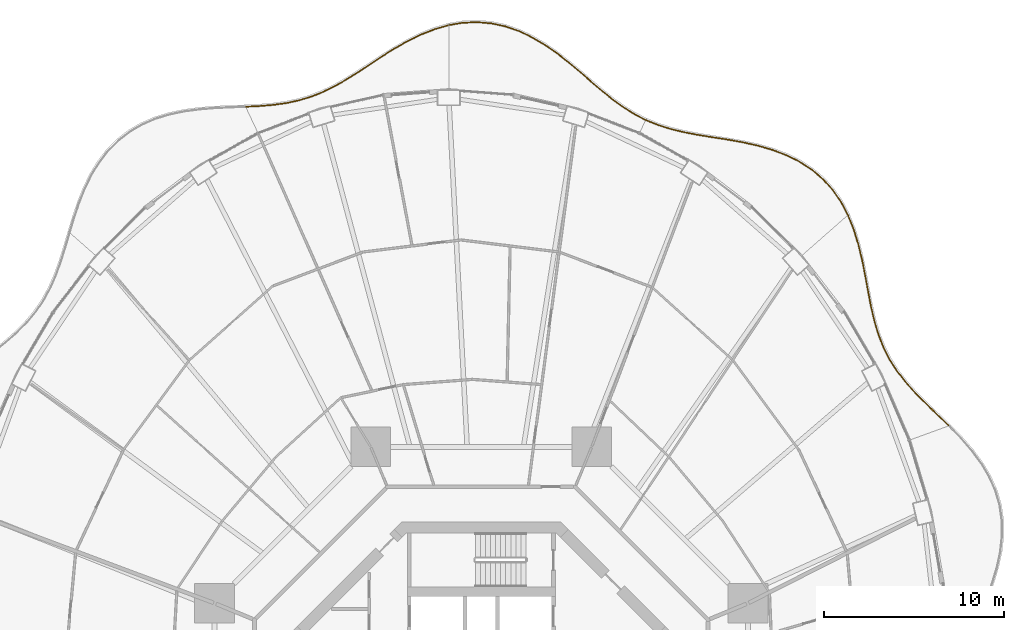
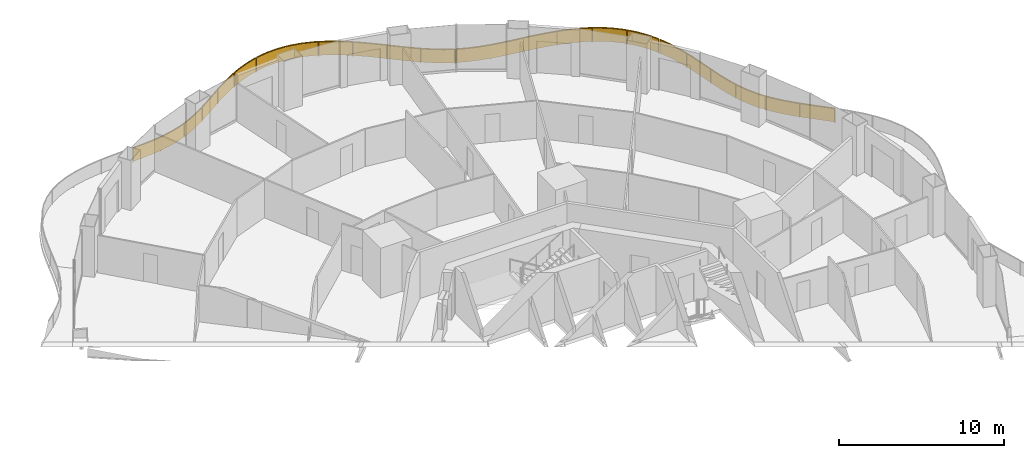
# One storey, part 22 of 22: 4 railings.
"""IFC4 building model written with IfcOpenShell, lengths in metres."""

from ifc_helpers import new_model, si_unit, direction, frame, origin, origin_2d, place, context, subcontext, project, spatial, polyline, rectangle, outline, extrude, material, type_object, element, save


model = new_model("IFC4")

# Units and contexts
model_context = context("Model", 3, precision=1e-05, world=origin(), true_north=direction((0.0, 1.0)))
body_context = subcontext(model_context, "Body", "Model", "MODEL_VIEW")
ifc_project = project(units=[si_unit("LENGTHUNIT", "METRE"), si_unit("AREAUNIT", "SQUARE_METRE"), si_unit("VOLUMEUNIT", "CUBIC_METRE"), si_unit("PLANEANGLEUNIT", "RADIAN"), si_unit("MASSUNIT", "GRAM", prefix="KILO")], contexts=[model_context])

# Site, building, storey
site_placement = place(None, origin())
site = spatial("IfcSite", under=ifc_project, at=site_placement, CompositionType="ELEMENT")
building_placement = place(site_placement, origin())
building = spatial("IfcBuilding", under=site, at=building_placement, Name="Nagisa Residences", CompositionType="ELEMENT")
storey_placement = place(building_placement, frame((0.0, 0.0, 77.0)))
storey = spatial("IfcBuildingStorey", under=building, at=storey_placement, Name="L18", CompositionType="ELEMENT", Elevation=77.0)

# Railings
ifc_material = material(Name="Stainless steel 316", Category="steel")
railing_type = type_object("IfcRailingType", Name="BALCONY GUARD 1100", PredefinedType="BALUSTRADE", material=ifc_material)
railing_1_placement = place(storey_placement, frame((25.88134765625, 15.976806640625, 0.0)))
element("IfcRailing", 1, at=railing_1_placement, inside=storey, type_object=railing_type, Name="guard:L18:bal01-0", PredefinedType="BALUSTRADE", context=body_context, shape_type="SweptSolid", body=[
    extrude(outline(polyline([(-0.6162109375, 0.559814453125), (-0.017333984375, -0.01806640625), (0.017333984375, 0.01806640625), (-0.58154296875, 0.595947265625), (-1.201171875, 1.193115234375), (-1.79052734375, 1.787109375), (-2.332275390625, 2.387939453125), (-2.814208984375, 3.006103515625), (-3.22314453125, 3.63818359375), (-3.570068359375, 4.3173828125), (-3.85302734375, 5.035888671875), (-4.0810546875, 5.79541015625), (-4.267578125, 6.59423828125), (-4.42138671875, 7.414306640625), (-4.578857421875, 8.27099609375), (-4.751953125, 9.139892578125), (-4.959716796875, 10.00634765625), (-5.220458984375, 10.853759765625), (-5.529541015625, 11.623046875), (-5.575927734375, 11.6044921875), (-5.267822265625, 10.837158203125), (-5.008056640625, 9.9931640625), (-4.80078125, 9.129150390625), (-4.628173828125, 8.26171875), (-4.470703125, 7.405029296875), (-4.31640625, 6.583984375), (-4.12939453125, 5.78271484375), (-3.900390625, 5.019287109375), (-3.615966796875, 4.296875), (-3.2666015625, 3.61328125), (-2.855224609375, 2.977294921875), (-2.370849609375, 2.355712890625), (-1.82666015625, 1.7529296875), (-1.236328125, 1.157470703125), (-0.6162109375, 0.559814453125)])), frame((0.0, 0.0, 1.050048828125)), (0.0, 0.0, 1.0), 0.050048828125),
    extrude(outline(polyline([(-0.603759765625, 0.57275390625), (-0.0048828125, -0.005126953125), (0.0048828125, 0.005126953125), (-0.593994140625, 0.5830078125), (-1.2138671875, 1.18017578125), (-1.803466796875, 1.77490234375), (-2.34619140625, 2.376220703125), (-2.8291015625, 2.995849609375), (-3.23876953125, 3.629150390625), (-3.586669921875, 4.31005859375), (-3.8701171875, 5.02978515625), (-4.098388671875, 5.790771484375), (-4.28515625, 6.590576171875), (-4.439208984375, 7.410888671875), (-4.5966796875, 8.267578125), (-4.76953125, 9.135986328125), (-4.97705078125, 10.001708984375), (-5.237548828125, 10.847900390625), (-5.546142578125, 11.616455078125), (-5.559326171875, 11.611083984375), (-5.250732421875, 10.843017578125), (-4.99072265625, 9.997802734375), (-4.783203125, 9.133056640625), (-4.6103515625, 8.26513671875), (-4.452880859375, 7.408447265625), (-4.298828125, 6.587646484375), (-4.112060546875, 5.787353515625), (-3.88330078125, 5.025390625), (-3.599365234375, 4.30419921875), (-3.2509765625, 3.622314453125), (-2.84033203125, 2.987548828125), (-2.35693359375, 2.367431640625), (-1.813720703125, 1.76513671875), (-1.2236328125, 1.17041015625), (-0.603759765625, 0.57275390625)])), frame((0.0, 0.0, 0.06005859375)), (0.0, 0.0, 1.0), 0.989990234375),
    extrude(rectangle(XDim=0.0400390625, YDim=0.0400390625, at=origin_2d()), origin(), (0.0, 0.0, 1.0), 1.050048828125),
    extrude(rectangle(XDim=0.0400390625, YDim=0.0400390625, at=origin_2d()), frame((-1.579345703125, 1.5390625, 0.0)), (0.0, 0.0, 1.0), 1.050048828125),
    extrude(rectangle(XDim=0.0400390625, YDim=0.0400390625, at=origin_2d()), frame((-2.98876953125, 3.229736328125, 0.0)), (0.0, 0.0, 1.0), 1.050048828125),
    extrude(rectangle(XDim=0.0400390625, YDim=0.0400390625, at=origin_2d()), frame((-3.9326171875, 5.213623046875, 0.0)), (0.0, 0.0, 1.0), 1.050048828125),
    extrude(rectangle(XDim=0.0400390625, YDim=0.0400390625, at=origin_2d()), frame((-4.4365234375, 7.358642578125, 0.0)), (0.0, 0.0, 1.0), 1.050048828125),
    extrude(rectangle(XDim=0.0400390625, YDim=0.0400390625, at=origin_2d()), frame((-4.868896484375, 9.520751953125, 0.0)), (0.0, 0.0, 1.0), 1.050048828125),
    extrude(rectangle(XDim=0.0400390625, YDim=0.0400390625, at=origin_2d()), frame((-5.552734375, 11.61376953125, 0.0)), (0.0, 0.0, 1.0), 1.050048828125),
])
railing_2_placement = place(storey_placement, frame((20.296630859375, 27.660888671875, 0.0)))
element("IfcRailing", 2, at=railing_2_placement, inside=storey, type_object=railing_type, Name="guard:L18:bal02-0", PredefinedType="BALUSTRADE", context=body_context, shape_type="SweptSolid", body=[
    extrude(outline(polyline([(-0.3828125, 0.671875), (-0.022216796875, -0.01171875), (0.022216796875, 0.01171875), (-0.33984375, 0.69775390625), (-0.802490234375, 1.366455078125), (-1.3427734375, 1.966796875), (-1.957763671875, 2.4921875), (-2.640625, 2.939697265625), (-3.369384765625, 3.2998046875), (-4.155517578125, 3.598876953125), (-4.973388671875, 3.83544921875), (-5.808349609375, 4.02197265625), (-6.646240234375, 4.17333984375), (-7.46044921875, 4.297119140625), (-8.26806640625, 4.42919921875), (-9.04736328125, 4.577392578125), (-9.793701171875, 4.75732421875), (-10.505126953125, 4.981689453125), (-11.1455078125, 5.243896484375), (-11.16455078125, 5.197509765625), (-10.522216796875, 4.934814453125), (-9.806884765625, 4.708984375), (-9.05810546875, 4.528564453125), (-8.27685546875, 4.3798828125), (-7.46826171875, 4.247802734375), (-6.654541015625, 4.1240234375), (-5.818115234375, 3.97314453125), (-4.985595703125, 3.787109375), (-4.171630859375, 3.551513671875), (-3.389404296875, 3.25390625), (-2.66552734375, 2.896240234375), (-1.988037109375, 2.4521484375), (-1.3779296875, 1.9306640625), (-0.842041015625, 1.335205078125), (-0.3828125, 0.671875)])), frame((0.0, 0.0, 1.050048828125)), (0.0, 0.0, 1.0), 0.050048828125),
    extrude(outline(polyline([(-0.367431640625, 0.68115234375), (-0.006103515625, -0.003173828125), (0.006103515625, 0.003173828125), (-0.355224609375, 0.6884765625), (-0.816650390625, 1.355224609375), (-1.35546875, 1.953857421875), (-1.96875, 2.477783203125), (-2.649658203125, 2.924072265625), (-3.376708984375, 3.283203125), (-4.161376953125, 3.581787109375), (-4.977783203125, 3.818115234375), (-5.811767578125, 4.00439453125), (-6.649169921875, 4.155517578125), (-7.46337890625, 4.279296875), (-8.271240234375, 4.411376953125), (-9.05126953125, 4.559814453125), (-9.79833984375, 4.739990234375), (-10.51123046875, 4.96484375), (-11.15234375, 5.227294921875), (-11.15771484375, 5.214111328125), (-10.51611328125, 4.95166015625), (-9.80224609375, 4.726318359375), (-9.05419921875, 4.546142578125), (-8.273681640625, 4.397705078125), (-7.46533203125, 4.265625), (-6.651611328125, 4.141845703125), (-5.814697265625, 3.99072265625), (-4.981201171875, 3.804443359375), (-4.165771484375, 3.568603515625), (-3.382080078125, 3.2705078125), (-2.656494140625, 2.911865234375), (-1.97705078125, 2.466552734375), (-1.365234375, 1.943603515625), (-0.827880859375, 1.346435546875), (-0.367431640625, 0.68115234375)])), frame((0.0, 0.0, 0.06005859375)), (0.0, 0.0, 1.0), 0.989990234375),
    extrude(rectangle(XDim=0.0400390625, YDim=0.0400390625, at=origin_2d()), origin(), (0.0, 0.0, 1.0), 1.050048828125),
    extrude(rectangle(XDim=0.0400390625, YDim=0.0400390625, at=origin_2d()), frame((-1.196044921875, 1.76611328125, 0.0)), (0.0, 0.0, 1.0), 1.050048828125),
    extrude(rectangle(XDim=0.0400390625, YDim=0.0400390625, at=origin_2d()), frame((-2.902587890625, 3.041259765625, 0.0)), (0.0, 0.0, 1.0), 1.050048828125),
    extrude(rectangle(XDim=0.0400390625, YDim=0.0400390625, at=origin_2d()), frame((-4.9052734375, 3.789794921875, 0.0)), (0.0, 0.0, 1.0), 1.050048828125),
    extrude(rectangle(XDim=0.0400390625, YDim=0.0400390625, at=origin_2d()), frame((-7.0068359375, 4.202880859375, 0.0)), (0.0, 0.0, 1.0), 1.050048828125),
    extrude(rectangle(XDim=0.0400390625, YDim=0.0400390625, at=origin_2d()), frame((-9.117919921875, 4.568603515625, 0.0)), (0.0, 0.0, 1.0), 1.050048828125),
    extrude(rectangle(XDim=0.0400390625, YDim=0.0400390625, at=origin_2d()), frame((-11.155029296875, 5.220703125, 0.0)), (0.0, 0.0, 1.0), 1.050048828125),
])
railing_3_placement = place(storey_placement, frame((9.079345703125, 32.910400390625, 0.0)))
element("IfcRailing", 3, at=railing_3_placement, inside=storey, type_object=railing_type, Name="guard:L18:bal03-0", PredefinedType="BALUSTRADE", context=body_context, shape_type="SweptSolid", body=[
    extrude(outline(polyline([(-0.603759765625, 0.283935546875), (-0.011474609375, -0.022216796875), (0.011474609375, 0.022216796875), (-0.578857421875, 0.327392578125), (-1.18701171875, 0.70703125), (-1.782958984375, 1.138916015625), (-2.375244140625, 1.615234375), (-2.97265625, 2.1240234375), (-3.566162109375, 2.646484375), (-4.1962890625, 3.1748046875), (-4.850830078125, 3.685791015625), (-5.53369140625, 4.16015625), (-6.2451171875, 4.580322265625), (-6.96728515625, 4.926513671875), (-7.728759765625, 5.190673828125), (-8.510009765625, 5.360107421875), (-9.302978515625, 5.428466796875), (-10.10009765625, 5.394775390625), (-10.845458984375, 5.269287109375), (-10.837158203125, 5.219970703125), (-10.0947265625, 5.344970703125), (-9.303955078125, 5.378173828125), (-8.517333984375, 5.310302734375), (-7.742431640625, 5.142333984375), (-6.986328125, 4.880126953125), (-6.2685546875, 4.535888671875), (-5.560546875, 4.1181640625), (-4.880615234375, 3.645263671875), (-4.2275390625, 3.1357421875), (-3.598876953125, 2.6083984375), (-3.00537109375, 2.08642578125), (-2.406982421875, 1.57666015625), (-1.813232421875, 1.099365234375), (-1.21484375, 0.66552734375), (-0.603759765625, 0.283935546875)])), frame((0.0, 0.0, 1.050048828125)), (0.0, 0.0, 1.0), 0.050048828125),
    extrude(outline(polyline([(-0.5947265625, 0.299560546875), (-0.003173828125, -0.006103515625), (0.003173828125, 0.006103515625), (-0.587890625, 0.311767578125), (-1.197021484375, 0.692138671875), (-1.7939453125, 1.124755859375), (-2.38671875, 1.601318359375), (-2.984375, 2.110595703125), (-3.577880859375, 2.6328125), (-4.20751953125, 3.16064453125), (-4.861572265625, 3.671142578125), (-5.54345703125, 4.14501953125), (-6.25341796875, 4.564208984375), (-6.97412109375, 4.909912109375), (-7.733642578125, 5.17333984375), (-8.5126953125, 5.342041015625), (-9.30322265625, 5.410400390625), (-10.09814453125, 5.376953125), (-10.842529296875, 5.25146484375), (-10.840087890625, 5.23779296875), (-10.0966796875, 5.36279296875), (-9.3037109375, 5.396240234375), (-8.5146484375, 5.328369140625), (-7.737548828125, 5.15966796875), (-6.9794921875, 4.896728515625), (-6.26025390625, 4.552001953125), (-5.55078125, 4.13330078125), (-4.869873046875, 3.659912109375), (-4.21630859375, 3.14990234375), (-3.587158203125, 2.6220703125), (-2.99365234375, 2.099853515625), (-2.3955078125, 1.590576171875), (-1.80224609375, 1.113525390625), (-1.204833984375, 0.680419921875), (-0.5947265625, 0.299560546875)])), frame((0.0, 0.0, 0.06005859375)), (0.0, 0.0, 1.0), 0.989990234375),
    extrude(rectangle(XDim=0.0400390625, YDim=0.0400390625, at=origin_2d()), origin(), (0.0, 0.0, 1.0), 1.050048828125),
    extrude(rectangle(XDim=0.0400390625, YDim=0.0400390625, at=origin_2d()), frame((-1.767333984375, 1.096923828125, 0.0)), (0.0, 0.0, 1.0), 1.050048828125),
    extrude(rectangle(XDim=0.0400390625, YDim=0.0400390625, at=origin_2d()), frame((-3.364013671875, 2.43505859375, 0.0)), (0.0, 0.0, 1.0), 1.050048828125),
    extrude(rectangle(XDim=0.0400390625, YDim=0.0400390625, at=origin_2d()), frame((-4.982421875, 3.74658203125, 0.0)), (0.0, 0.0, 1.0), 1.050048828125),
    extrude(rectangle(XDim=0.0400390625, YDim=0.0400390625, at=origin_2d()), frame((-6.7724609375, 4.805419921875, 0.0)), (0.0, 0.0, 1.0), 1.050048828125),
    extrude(rectangle(XDim=0.0400390625, YDim=0.0400390625, at=origin_2d()), frame((-8.7705078125, 5.357421875, 0.0)), (0.0, 0.0, 1.0), 1.050048828125),
    extrude(rectangle(XDim=0.0400390625, YDim=0.0400390625, at=origin_2d()), frame((-10.84130859375, 5.24462890625, 0.0)), (0.0, 0.0, 1.0), 1.050048828125),
])
railing_4_placement = place(storey_placement, frame((-1.837158203125, 38.137451171875, 0.0)))
element("IfcRailing", 4, at=railing_4_placement, inside=storey, type_object=railing_type, Name="guard:L18:bal04-0", PredefinedType="BALUSTRADE", context=body_context, shape_type="SweptSolid", body=[
    extrude(outline(polyline([(-0.726806640625, -0.234375), (0.0068359375, -0.024169921875), (-0.0068359375, 0.024169921875), (-0.742919921875, -0.18701171875), (-1.510009765625, -0.488525390625), (-2.257080078125, -0.853515625), (-2.98095703125, -1.264404296875), (-3.682373046875, -1.702392578125), (-4.344970703125, -2.145751953125), (-5.0078125, -2.580810546875), (-5.659423828125, -2.989013671875), (-6.306396484375, -3.356689453125), (-6.955810546875, -3.674072265625), (-7.598388671875, -3.93017578125), (-8.274658203125, -4.1337890625), (-8.9736328125, -4.282470703125), (-9.6982421875, -4.383056640625), (-10.450439453125, -4.4462890625), (-11.183349609375, -4.48095703125), (-11.180908203125, -4.53076171875), (-10.447021484375, -4.49609375), (-9.69287109375, -4.432861328125), (-8.96484375, -4.331787109375), (-8.262451171875, -4.18212890625), (-7.581787109375, -3.9775390625), (-6.935302734375, -3.719970703125), (-6.282958984375, -3.401123046875), (-5.633544921875, -3.031982421875), (-4.98095703125, -2.622802734375), (-4.317138671875, -2.187255859375), (-3.655029296875, -1.744384765625), (-2.95556640625, -1.307373046875), (-2.233642578125, -0.89794921875), (-1.489990234375, -0.534423828125), (-0.726806640625, -0.234375)])), frame((0.0, 0.0, 1.050048828125)), (0.0, 0.0, 1.0), 0.050048828125),
    extrude(outline(polyline([(-0.732666015625, -0.21728515625), (0.001953125, -0.0068359375), (-0.001953125, 0.0068359375), (-0.737060546875, -0.2041015625), (-1.5029296875, -0.505126953125), (-2.24853515625, -0.86962890625), (-2.971923828125, -1.27978515625), (-3.672607421875, -1.717529296875), (-4.3349609375, -2.16064453125), (-4.998046875, -2.595947265625), (-5.650146484375, -3.00439453125), (-6.2978515625, -3.372802734375), (-6.948486328125, -3.690673828125), (-7.59228515625, -3.947265625), (-8.270263671875, -4.151123046875), (-8.970458984375, -4.30029296875), (-9.6962890625, -4.40087890625), (-10.44921875, -4.464111328125), (-11.182373046875, -4.498779296875), (-11.181884765625, -4.512939453125), (-10.4482421875, -4.478271484375), (-9.69482421875, -4.4150390625), (-8.968017578125, -4.31396484375), (-8.266845703125, -4.164794921875), (-7.587890625, -3.96044921875), (-6.942626953125, -3.703369140625), (-6.29150390625, -3.385009765625), (-5.642822265625, -3.0166015625), (-4.99072265625, -2.607666015625), (-4.3271484375, -2.17236328125), (-3.664794921875, -1.729248046875), (-2.964599609375, -1.2919921875), (-2.2421875, -0.8818359375), (-1.4970703125, -0.517822265625), (-0.732666015625, -0.21728515625)])), frame((0.0, 0.0, 0.06005859375)), (0.0, 0.0, 1.0), 0.989990234375),
    extrude(rectangle(XDim=0.0400390625, YDim=0.0400390625, at=origin_2d()), origin(), (0.0, 0.0, 1.0), 1.050048828125),
    extrude(rectangle(XDim=0.0400390625, YDim=0.0400390625, at=origin_2d()), frame((-1.908203125, -0.7109375, 0.0)), (0.0, 0.0, 1.0), 1.050048828125),
    extrude(rectangle(XDim=0.0400390625, YDim=0.0400390625, at=origin_2d()), frame((-3.67578125, -1.72802734375, 0.0)), (0.0, 0.0, 1.0), 1.050048828125),
    extrude(rectangle(XDim=0.0400390625, YDim=0.0400390625, at=origin_2d()), frame((-5.38330078125, -2.845703125, 0.0)), (0.0, 0.0, 1.0), 1.050048828125),
    extrude(rectangle(XDim=0.0400390625, YDim=0.0400390625, at=origin_2d()), frame((-7.187255859375, -3.79345703125, 0.0)), (0.0, 0.0, 1.0), 1.050048828125),
    extrude(rectangle(XDim=0.0400390625, YDim=0.0400390625, at=origin_2d()), frame((-9.14990234375, -4.332275390625, 0.0)), (0.0, 0.0, 1.0), 1.050048828125),
    extrude(rectangle(XDim=0.0400390625, YDim=0.0400390625, at=origin_2d()), frame((-11.18212890625, -4.505859375, 0.0)), (0.0, 0.0, 1.0), 1.050048828125),
])

save(model, "model.ifc")
